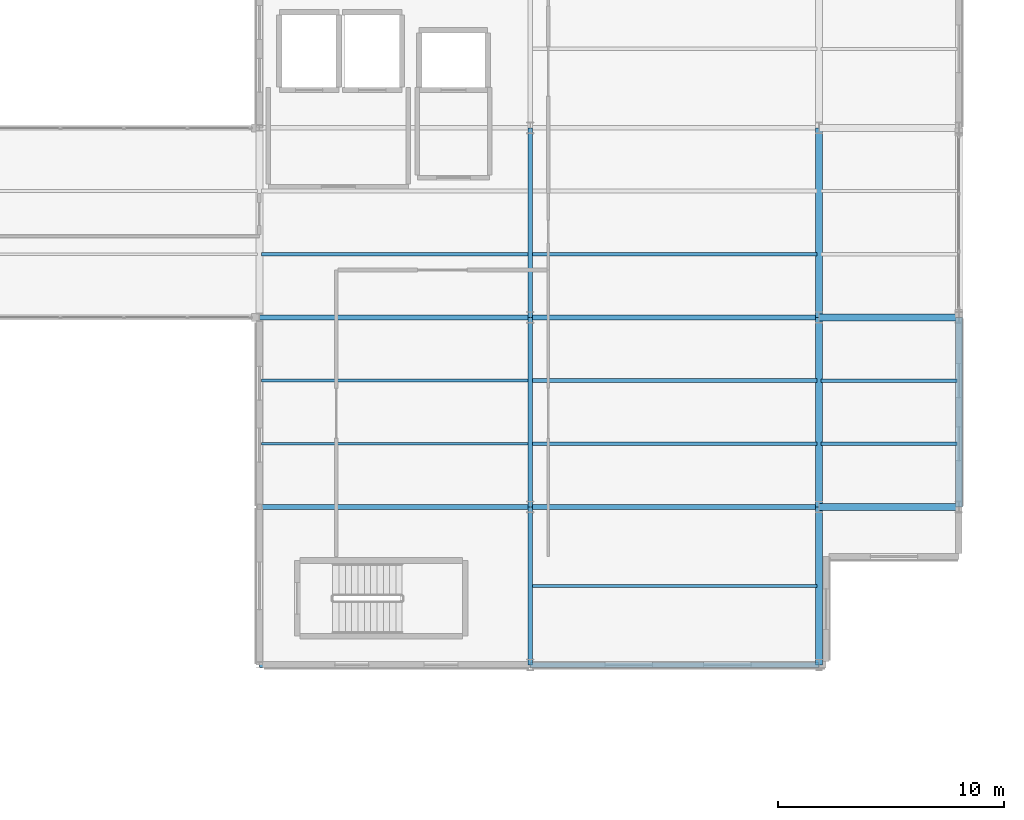
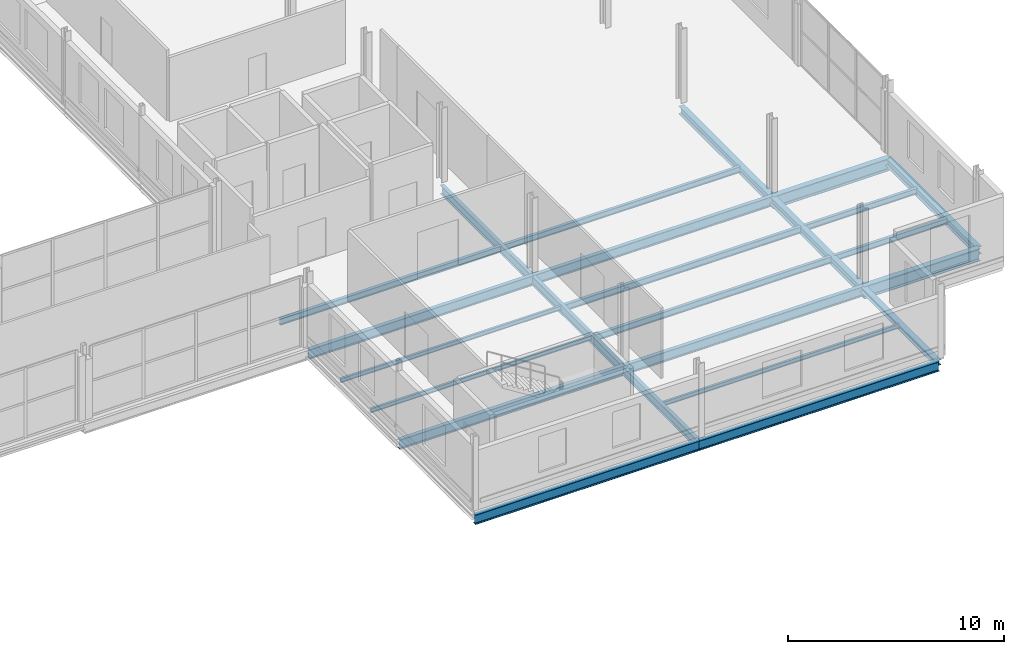
# One storey, part 58 of 101: 24 beams.
"""IFC4 building model written with IfcOpenShell, lengths in metres."""

from ifc_helpers import new_model, si_unit, direction, frame, origin, origin_2d, place, context, subcontext, project, spatial, i_section, extrude, material, material_profile, profile_set, type_object, element, save


model = new_model("IFC4")

# Units and contexts
model_context = context("Model", 3, precision=1e-05, world=origin(), true_north=direction((0.0, 1.0)))
body_context = subcontext(model_context, "Body", "Model", "MODEL_VIEW")
ifc_project = project(units=[si_unit("LENGTHUNIT", "METRE"), si_unit("AREAUNIT", "SQUARE_METRE"), si_unit("VOLUMEUNIT", "CUBIC_METRE"), si_unit("PLANEANGLEUNIT", "RADIAN"), si_unit("MASSUNIT", "GRAM", prefix="KILO")], contexts=[model_context])

# Site, building, storey
site_placement = place(None, origin())
site = spatial("IfcSite", under=ifc_project, at=site_placement, CompositionType="ELEMENT")
building_placement = place(site_placement, origin())
building = spatial("IfcBuilding", under=site, at=building_placement, Name="Vekula Escarpment Museum", CompositionType="ELEMENT")
storey_placement = place(building_placement, frame((0.0, 0.0, 18.0)))
storey = spatial("IfcBuildingStorey", under=building, at=storey_placement, Name="L04", CompositionType="ELEMENT", Elevation=18.0)

# Beams
ifc_material_1 = material(Name="Steel S355", Category="steel")
ifc_material_profile_1 = material_profile(ifc_material_1, i_section(OverallWidth=0.300048828125, OverallDepth=0.699951171875, WebThickness=0.01708984375, FlangeThickness=0.031982421875, FilletRadius=0.027099609375, at=origin_2d()), Name="HEB 700")
ifc_profile_set_1 = profile_set([ifc_material_profile_1], Name="Steel S355")
beam_type_1 = type_object("IfcBeamType", Name="BM-GIRD-HEB700", PredefinedType="BEAM", material=ifc_profile_set_1)
for number, where, z_axis, x_axis, name in (
    (1, (191.800048828125, 59.60009765625, -0.6298828125), (1.0, 0.0, 0.0), (0.0, 1.0, 0.0), "Beam X L04 1721"),
    (2, (191.800048828125, 68.0, -0.6298828125), (1.0, 0.0, 0.0), (0.0, 1.0, 0.0), "Beam X L04 1740"),
):
    element("IfcBeam", number, at=place(storey_placement, frame(where, z_axis=z_axis, x_axis=x_axis)), inside=storey, type_object=beam_type_1, Name=name, PredefinedType="BEAM", context=body_context, shape_type="SweptSolid", body=[
        extrude(i_section(OverallWidth=0.300048828125, OverallDepth=0.699951171875, WebThickness=0.01708984375, FlangeThickness=0.031982421875, FilletRadius=0.027099609375, at=origin_2d()), origin(), (0.0, 0.0, 1.0), 6.199951171875),
    ])
ifc_material_2 = material(Name="Steel S355", Category="steel")
ifc_material_profile_2 = material_profile(ifc_material_2, i_section(OverallWidth=0.199951171875, OverallDepth=0.5, WebThickness=0.01025390625, FlangeThickness=0.01611328125, FilletRadius=0.02099609375, at=origin_2d()), Name="IPE 500")
ifc_profile_set_2 = profile_set([ifc_material_profile_2], Name="Steel S355")
beam_type_2 = type_object("IfcBeamType", Name="BM-GIRD-IPE500", PredefinedType="BEAM", material=ifc_profile_set_2)
beam_1_placement = place(storey_placement, frame((179.0, 52.60009765625, -0.530029296875), z_axis=(0.0, 1.0, 0.0), x_axis=(-1.0, 0.0, 0.0)))
element("IfcBeam", 3, at=beam_1_placement, inside=storey, type_object=beam_type_2, Name="Beam Y L04 1930", PredefinedType="BEAM", context=body_context, shape_type="SweptSolid", body=[
    extrude(i_section(OverallWidth=0.199951171875, OverallDepth=0.5, WebThickness=0.01025390625, FlangeThickness=0.01611328125, FilletRadius=0.02099609375, at=origin_2d()), origin(), (0.0, 0.0, 1.0), 7.0),
])
for number, where, z_axis, x_axis, name in (
    (4, (179.0, 59.60009765625, -0.530029296875), (0.0, 1.0, 0.0), (-1.0, 0.0, 0.0), "Beam Y L04 1931"),
    (5, (179.0, 68.0, -0.530029296875), (0.0, 1.0, 0.0), (-1.0, 0.0, 0.0), "Beam Y L04 1932"),
):
    element("IfcBeam", number, at=place(storey_placement, frame(where, z_axis=z_axis, x_axis=x_axis)), inside=storey, type_object=beam_type_2, Name=name, PredefinedType="BEAM", context=body_context, shape_type="SweptSolid", body=[
        extrude(i_section(OverallWidth=0.199951171875, OverallDepth=0.5, WebThickness=0.01025390625, FlangeThickness=0.01611328125, FilletRadius=0.02099609375, at=origin_2d()), origin(), (0.0, 0.0, 1.0), 8.39990234375),
    ])
ifc_material_3 = material(Name="Steel S355", Category="steel")
ifc_material_profile_3 = material_profile(ifc_material_3, i_section(OverallWidth=0.2099609375, OverallDepth=0.550048828125, WebThickness=0.010986328125, FlangeThickness=0.01708984375, FilletRadius=0.02392578125, at=origin_2d()), Name="IPE 550")
ifc_profile_set_3 = profile_set([ifc_material_profile_3], Name="Steel S355")
beam_type_3 = type_object("IfcBeamType", Name="BM-GIRD-IPE550", PredefinedType="BEAM", material=ifc_profile_set_3)
beam_2_placement = place(storey_placement, frame((167.0, 52.60009765625, -0.554931640625), z_axis=(1.0, 0.0, 0.0), x_axis=(0.0, 1.0, 0.0)))
element("IfcBeam", 6, at=beam_2_placement, inside=storey, type_object=beam_type_3, Name="Beam X L04 1702", PredefinedType="BEAM", context=body_context, shape_type="SweptSolid", body=[
    extrude(i_section(OverallWidth=0.2099609375, OverallDepth=0.550048828125, WebThickness=0.010986328125, FlangeThickness=0.01708984375, FilletRadius=0.02392578125, at=origin_2d()), origin(), (0.0, 0.0, 1.0), 12.0),
])
beam_3_placement = place(storey_placement, frame((179.0, 52.60009765625, -0.554931640625), z_axis=(1.0, 0.0, 0.0), x_axis=(0.0, 1.0, 0.0)))
element("IfcBeam", 7, at=beam_3_placement, inside=storey, type_object=beam_type_3, Name="Beam X L04 1703", PredefinedType="BEAM", context=body_context, shape_type="SweptSolid", body=[
    extrude(i_section(OverallWidth=0.2099609375, OverallDepth=0.550048828125, WebThickness=0.010986328125, FlangeThickness=0.01708984375, FilletRadius=0.02392578125, at=origin_2d()), origin(), (0.0, 0.0, 1.0), 12.800048828125),
])
beam_4_placement = place(storey_placement, frame((167.0, 59.60009765625, -0.554931640625), z_axis=(1.0, 0.0, 0.0), x_axis=(0.0, 1.0, 0.0)))
element("IfcBeam", 8, at=beam_4_placement, inside=storey, type_object=beam_type_3, Name="Beam X L04 1719", PredefinedType="BEAM", context=body_context, shape_type="SweptSolid", body=[
    extrude(i_section(OverallWidth=0.2099609375, OverallDepth=0.550048828125, WebThickness=0.010986328125, FlangeThickness=0.01708984375, FilletRadius=0.02392578125, at=origin_2d()), origin(), (0.0, 0.0, 1.0), 12.0),
])
beam_5_placement = place(storey_placement, frame((179.0, 59.60009765625, -0.554931640625), z_axis=(1.0, 0.0, 0.0), x_axis=(0.0, 1.0, 0.0)))
element("IfcBeam", 9, at=beam_5_placement, inside=storey, type_object=beam_type_3, Name="Beam X L04 1720", PredefinedType="BEAM", context=body_context, shape_type="SweptSolid", body=[
    extrude(i_section(OverallWidth=0.2099609375, OverallDepth=0.550048828125, WebThickness=0.010986328125, FlangeThickness=0.01708984375, FilletRadius=0.02392578125, at=origin_2d()), origin(), (0.0, 0.0, 1.0), 12.800048828125),
])
beam_6_placement = place(storey_placement, frame((167.0, 68.0, -0.554931640625), z_axis=(1.0, 0.0, 0.0), x_axis=(0.0, 1.0, 0.0)))
element("IfcBeam", 10, at=beam_6_placement, inside=storey, type_object=beam_type_3, Name="Beam X L04 1738", PredefinedType="BEAM", context=body_context, shape_type="SweptSolid", body=[
    extrude(i_section(OverallWidth=0.2099609375, OverallDepth=0.550048828125, WebThickness=0.010986328125, FlangeThickness=0.01708984375, FilletRadius=0.02392578125, at=origin_2d()), origin(), (0.0, 0.0, 1.0), 12.0),
])
beam_7_placement = place(storey_placement, frame((179.0, 68.0, -0.554931640625), z_axis=(1.0, 0.0, 0.0), x_axis=(0.0, 1.0, 0.0)))
element("IfcBeam", 11, at=beam_7_placement, inside=storey, type_object=beam_type_3, Name="Beam X L04 1739", PredefinedType="BEAM", context=body_context, shape_type="SweptSolid", body=[
    extrude(i_section(OverallWidth=0.2099609375, OverallDepth=0.550048828125, WebThickness=0.010986328125, FlangeThickness=0.01708984375, FilletRadius=0.02392578125, at=origin_2d()), origin(), (0.0, 0.0, 1.0), 12.800048828125),
])
ifc_material_4 = material(Name="Steel S355", Category="steel")
ifc_material_profile_4 = material_profile(ifc_material_4, i_section(OverallWidth=0.1201171875, OverallDepth=0.239990234375, WebThickness=0.006103515625, FlangeThickness=0.009765625, FilletRadius=0.014892578125, at=origin_2d()), Name="IPE 240")
ifc_profile_set_4 = profile_set([ifc_material_profile_4], Name="Steel S355")
beam_type_4 = type_object("IfcBeamType", Name="BM-JST-IPE240", PredefinedType="JOIST", material=ifc_profile_set_4)
for number, where, z_axis, x_axis, name in (
    (12, (167.090087890625, 62.39990234375, -0.39990234375), (1.0, 0.0, 0.0), (0.0, 1.0, 0.0), "Secondary Joist L04 1246"),
    (13, (167.090087890625, 65.199951171875, -0.39990234375), (1.0, 0.0, 0.0), (0.0, 1.0, 0.0), "Secondary Joist L04 1247"),
):
    element("IfcBeam", number, at=place(storey_placement, frame(where, z_axis=z_axis, x_axis=x_axis)), inside=storey, type_object=beam_type_4, Name=name, PredefinedType="JOIST", context=body_context, shape_type="SweptSolid", body=[
        extrude(i_section(OverallWidth=0.1201171875, OverallDepth=0.239990234375, WebThickness=0.006103515625, FlangeThickness=0.009765625, FilletRadius=0.014892578125, at=origin_2d()), origin(), (0.0, 0.0, 1.0), 11.81982421875),
    ])
beam_8_placement = place(storey_placement, frame((179.090087890625, 56.10009765625, -0.39990234375), z_axis=(1.0, 0.0, 0.0), x_axis=(0.0, 1.0, 0.0)))
element("IfcBeam", 14, at=beam_8_placement, inside=storey, type_object=beam_type_4, Name="Secondary Joist L04 1259", PredefinedType="JOIST", context=body_context, shape_type="SweptSolid", body=[
    extrude(i_section(OverallWidth=0.1201171875, OverallDepth=0.239990234375, WebThickness=0.006103515625, FlangeThickness=0.009765625, FilletRadius=0.014892578125, at=origin_2d()), origin(), (0.0, 0.0, 1.0), 12.619873046875),
])
ifc_material_5 = material(Name="Steel S355", Category="steel")
ifc_material_profile_5 = material_profile(ifc_material_5, i_section(OverallWidth=0.159912109375, OverallDepth=0.330078125, WebThickness=0.007568359375, FlangeThickness=0.011474609375, FilletRadius=0.01806640625, at=origin_2d()), Name="IPE 330")
ifc_profile_set_5 = profile_set([ifc_material_profile_5], Name="Steel S355")
beam_type_5 = type_object("IfcBeamType", Name="BM-JST-IPE330", PredefinedType="JOIST", material=ifc_profile_set_5)
beam_9_placement = place(storey_placement, frame((179.090087890625, 70.800048828125, -0.445068359375), z_axis=(1.0, 0.0, 0.0), x_axis=(0.0, 1.0, 0.0)))
element("IfcBeam", 15, at=beam_9_placement, inside=storey, type_object=beam_type_5, Name="Secondary Joist L04 1262", PredefinedType="JOIST", context=body_context, shape_type="SweptSolid", body=[
    extrude(i_section(OverallWidth=0.159912109375, OverallDepth=0.330078125, WebThickness=0.007568359375, FlangeThickness=0.011474609375, FilletRadius=0.01806640625, at=origin_2d()), origin(), (0.0, 0.0, 1.0), 12.619873046875),
])
for number, where, z_axis, x_axis, name in (
    (16, (191.889892578125, 62.39990234375, -0.445068359375), (1.0, 0.0, 0.0), (0.0, 1.0, 0.0), "Secondary Joist L04 1276"),
    (17, (191.889892578125, 65.199951171875, -0.445068359375), (1.0, 0.0, 0.0), (0.0, 1.0, 0.0), "Secondary Joist L04 1277"),
):
    element("IfcBeam", number, at=place(storey_placement, frame(where, z_axis=z_axis, x_axis=x_axis)), inside=storey, type_object=beam_type_5, Name=name, PredefinedType="JOIST", context=body_context, shape_type="SweptSolid", body=[
        extrude(i_section(OverallWidth=0.159912109375, OverallDepth=0.330078125, WebThickness=0.007568359375, FlangeThickness=0.011474609375, FilletRadius=0.01806640625, at=origin_2d()), origin(), (0.0, 0.0, 1.0), 6.02001953125),
    ])
ifc_material_6 = material(Name="Steel S355", Category="steel")
ifc_material_profile_6 = material_profile(ifc_material_6, i_section(OverallWidth=0.169921875, OverallDepth=0.360107421875, WebThickness=0.008056640625, FlangeThickness=0.0126953125, FilletRadius=0.01806640625, at=origin_2d()), Name="IPE 360")
ifc_profile_set_6 = profile_set([ifc_material_profile_6], Name="Steel S355")
beam_type_6 = type_object("IfcBeamType", Name="BM-JST-IPE360", PredefinedType="JOIST", material=ifc_profile_set_6)
beam_10_placement = place(storey_placement, frame((167.090087890625, 70.800048828125, -0.4599609375), z_axis=(1.0, 0.0, 0.0), x_axis=(0.0, 1.0, 0.0)))
element("IfcBeam", 18, at=beam_10_placement, inside=storey, type_object=beam_type_6, Name="Secondary Joist L04 1248", PredefinedType="JOIST", context=body_context, shape_type="SweptSolid", body=[
    extrude(i_section(OverallWidth=0.169921875, OverallDepth=0.360107421875, WebThickness=0.008056640625, FlangeThickness=0.0126953125, FilletRadius=0.01806640625, at=origin_2d()), origin(), (0.0, 0.0, 1.0), 11.81982421875),
])
for number, where, z_axis, x_axis, name in (
    (19, (179.090087890625, 62.39990234375, -0.4599609375), (1.0, 0.0, 0.0), (0.0, 1.0, 0.0), "Secondary Joist L04 1260"),
    (20, (179.090087890625, 65.199951171875, -0.4599609375), (1.0, 0.0, 0.0), (0.0, 1.0, 0.0), "Secondary Joist L04 1261"),
):
    element("IfcBeam", number, at=place(storey_placement, frame(where, z_axis=z_axis, x_axis=x_axis)), inside=storey, type_object=beam_type_6, Name=name, PredefinedType="JOIST", context=body_context, shape_type="SweptSolid", body=[
        extrude(i_section(OverallWidth=0.169921875, OverallDepth=0.360107421875, WebThickness=0.008056640625, FlangeThickness=0.0126953125, FilletRadius=0.01806640625, at=origin_2d()), origin(), (0.0, 0.0, 1.0), 12.619873046875),
    ])
ifc_material_7 = material(Name="Steel S355", Category="steel")
ifc_material_profile_7 = material_profile(ifc_material_7, i_section(OverallWidth=0.300048828125, OverallDepth=0.2900390625, WebThickness=0.008544921875, FlangeThickness=0.013916015625, FilletRadius=0.027099609375, at=origin_2d()), Name="HEA 300")
ifc_profile_set_7 = profile_set([ifc_material_profile_7], Name="Steel S355")
beam_type_7 = type_object("IfcBeamType", Name="BM-SPAN-HEA300", PredefinedType="SPANDREL", material=ifc_profile_set_7)
beam_11_placement = place(storey_placement, frame((191.800048828125, 52.60009765625, -0.425048828125), z_axis=(0.0, 1.0, 0.0), x_axis=(-1.0, 0.0, 0.0)))
element("IfcBeam", 21, at=beam_11_placement, inside=storey, type_object=beam_type_7, Name="Beam Y L04 1940", PredefinedType="SPANDREL", context=body_context, shape_type="SweptSolid", body=[
    extrude(i_section(OverallWidth=0.300048828125, OverallDepth=0.2900390625, WebThickness=0.008544921875, FlangeThickness=0.013916015625, FilletRadius=0.027099609375, at=origin_2d()), origin(), (0.0, 0.0, 1.0), 7.0),
])
ifc_material_8 = material(Name="Steel S355", Category="steel")
ifc_material_profile_8 = material_profile(ifc_material_8, i_section(OverallWidth=0.300048828125, OverallDepth=0.43994140625, WebThickness=0.011474609375, FlangeThickness=0.02099609375, FilletRadius=0.027099609375, at=origin_2d()), Name="HEA 450")
ifc_profile_set_8 = profile_set([ifc_material_profile_8], Name="Steel S355")
beam_type_8 = type_object("IfcBeamType", Name="BM-SPAN-HEA450", PredefinedType="SPANDREL", material=ifc_profile_set_8)
for number, where, z_axis, x_axis, name in (
    (22, (191.800048828125, 59.60009765625, -0.5), (0.0, 1.0, 0.0), (-1.0, 0.0, 0.0), "Beam Y L04 1941"),
    (23, (191.800048828125, 68.0, -0.5), (0.0, 1.0, 0.0), (-1.0, 0.0, 0.0), "Beam Y L04 1942"),
    (24, (198.0, 59.60009765625, -0.5), (0.0, 1.0, 0.0), (-1.0, 0.0, 0.0), "Beam Y L04 1950"),
):
    element("IfcBeam", number, at=place(storey_placement, frame(where, z_axis=z_axis, x_axis=x_axis)), inside=storey, type_object=beam_type_8, Name=name, PredefinedType="SPANDREL", context=body_context, shape_type="SweptSolid", body=[
        extrude(i_section(OverallWidth=0.300048828125, OverallDepth=0.43994140625, WebThickness=0.011474609375, FlangeThickness=0.02099609375, FilletRadius=0.027099609375, at=origin_2d()), origin(), (0.0, 0.0, 1.0), 8.39990234375),
    ])

save(model, "model.ifc")
